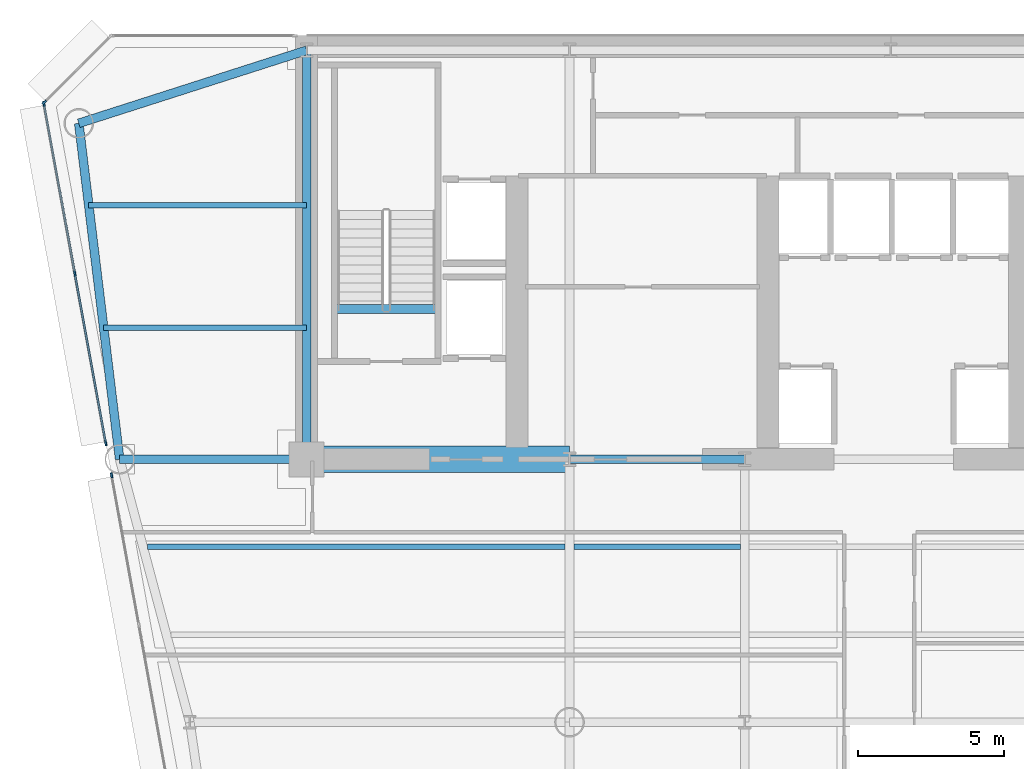
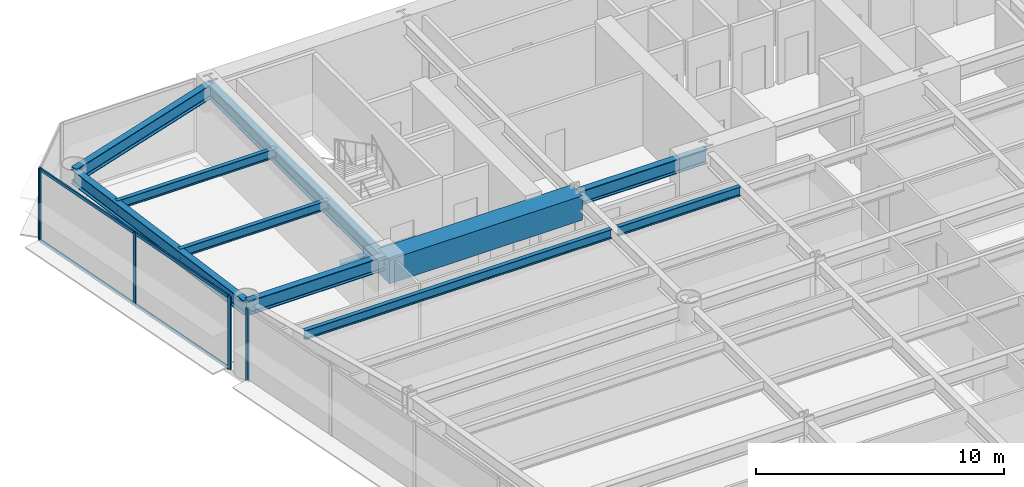
# One storey, part 6 of 17: 11 beams, 9 members, 3 elements without a shape of their own.
"""IFC4 building model written with IfcOpenShell, lengths in metres."""

from ifc_helpers import new_model, si_unit, direction, frame, origin, origin_2d, place, context, subcontext, project, spatial, rectangle, i_section, extrude, source, transform, mapped, material, layer, layer_set, material_profile, profile_set, type_object, element, aggregate, save


model = new_model("IFC4")

# Units and contexts
model_context = context("Model", 3, precision=1e-05, world=origin(), true_north=direction((0.0, 1.0)))
body_context = subcontext(model_context, "Body", "Model", "MODEL_VIEW")
ifc_project = project(units=[si_unit("LENGTHUNIT", "METRE"), si_unit("AREAUNIT", "SQUARE_METRE"), si_unit("VOLUMEUNIT", "CUBIC_METRE"), si_unit("PLANEANGLEUNIT", "RADIAN"), si_unit("MASSUNIT", "GRAM", prefix="KILO")], contexts=[model_context])

# Site, building, storey
site_placement = place(None, origin())
site = spatial("IfcSite", under=ifc_project, at=site_placement, CompositionType="ELEMENT")
building_placement = place(site_placement, origin())
building = spatial("IfcBuilding", under=site, at=building_placement, Name="Vaeldorn Concourse Tower", CompositionType="ELEMENT")
storey_placement = place(building_placement, frame((0.0, 0.0, 153.800048828125)))
storey = spatial("IfcBuildingStorey", under=building, at=storey_placement, Name="L39", CompositionType="ELEMENT", Elevation=153.800048828125)

# Beams
ifc_material_1 = material(Name="Concrete C60/75", Category="concrete")
ifc_material_profile_1 = material_profile(ifc_material_1, rectangle(XDim=0.89990234375, YDim=1.199951171875, at=origin_2d()), Name="RC 900x1200")
ifc_profile_set_1 = profile_set([ifc_material_profile_1], Name="Concrete C60/75")
beam_type_1 = type_object("IfcBeamType", Name="BM-CB-RC900", PredefinedType="BEAM", material=ifc_profile_set_1)
shared_shape_1 = source(origin(), body_context, "Body", "SweptSolid", [
    extrude(rectangle(XDim=0.89990234375, YDim=1.199951171875, at=origin_2d()), origin(), (0.0, 0.0, 1.0), 9.0),
])
beam_1_placement = place(storey_placement, frame((14.0, 36.5, 2.97998046875), z_axis=(1.0, 0.0, 0.0), x_axis=(0.0, 1.0, 0.0)))
element("IfcBeam", 1, at=beam_1_placement, inside=storey, type_object=beam_type_1, Name="Core Coupling Beam L39-1", PredefinedType="BEAM", context=body_context, shape_type="MappedRepresentation", body=[
    mapped(shared_shape_1, transform((0.0, 0.0, 0.0), scale=1.0)),
])
ifc_material_2 = material(Name="Steel S355", Category="steel")
ifc_material_profile_2 = material_profile(ifc_material_2, i_section(OverallWidth=0.300048828125, OverallDepth=0.340087890625, WebThickness=0.011962890625, FlangeThickness=0.021484375, FilletRadius=0.027099609375, at=origin_2d()), Name="HEB 340")
ifc_profile_set_2 = profile_set([ifc_material_profile_2], Name="Steel S355")
beam_type_2 = type_object("IfcBeamType", Name="BM-ST-TRIM", PredefinedType="BEAM", material=ifc_profile_set_2)
shared_shape_2 = source(origin(), body_context, "Body", "SweptSolid", [
    extrude(i_section(OverallWidth=0.300048828125, OverallDepth=0.340087890625, WebThickness=0.011962890625, FlangeThickness=0.021484375, FilletRadius=0.027099609375, at=origin_2d()), origin(), (0.0, 0.0, 1.0), 3.590087890625),
])
beam_2_placement = place(storey_placement, frame((14.929931640625, 41.639892578125, -0.429931640625), z_axis=(1.0, 0.0, 0.0), x_axis=(0.0, 1.0, 0.0)))
element("IfcBeam", 2, at=beam_2_placement, inside=storey, type_object=beam_type_2, Name="Stair Landing Trimmer Beam ST-1 L39", PredefinedType="BEAM", context=body_context, shape_type="MappedRepresentation", body=[
    mapped(shared_shape_2, transform((0.0, 0.0, 0.0), scale=1.0)),
])
ifc_material_profile_3 = material_profile(ifc_material_2, i_section(OverallWidth=0.300048828125, OverallDepth=0.699951171875, WebThickness=0.01708984375, FlangeThickness=0.031982421875, FilletRadius=0.027099609375, at=origin_2d()), Name="HEB 700")
ifc_profile_set_3 = profile_set([ifc_material_profile_3], Name="Steel S355")
beam_type_3 = type_object("IfcBeamType", Name="BM-PG-HEB700", PredefinedType="BEAM", material=ifc_profile_set_3)
shared_shape_3 = source(origin(), body_context, "Body", "SweptSolid", [
    extrude(i_section(OverallWidth=0.300048828125, OverallDepth=0.699951171875, WebThickness=0.01708984375, FlangeThickness=0.031982421875, FilletRadius=0.027099609375, at=origin_2d()), origin(), (0.0, 0.0, 1.0), 6.0),
])
beam_3_placement = place(storey_placement, frame((23.0, 36.5, 3.22998046875), z_axis=(1.0, 0.0, 0.0), x_axis=(0.0, 1.0, 0.0)))
element("IfcBeam", 3, at=beam_3_placement, inside=storey, type_object=beam_type_3, Name="Beam BM-L39-C-FC2-C-FC3", PredefinedType="BEAM", context=body_context, shape_type="MappedRepresentation", body=[
    mapped(shared_shape_3, transform((0.0, 0.0, 0.0), scale=1.0)),
])
shared_shape_4 = source(origin(), body_context, "Body", "SweptSolid", [
    extrude(i_section(OverallWidth=0.300048828125, OverallDepth=0.699951171875, WebThickness=0.01708984375, FlangeThickness=0.031982421875, FilletRadius=0.027099609375, at=origin_2d()), origin(), (0.0, 0.0, 1.0), 14.0),
])
beam_4_placement = place(storey_placement, frame((14.0, 36.5, 3.22998046875), z_axis=(0.0, 1.0, 0.0), x_axis=(-1.0, 0.0, 0.0)))
element("IfcBeam", 4, at=beam_4_placement, inside=storey, type_object=beam_type_3, Name="Beam BM-L39-C-FC1-C-HC1", PredefinedType="BEAM", context=body_context, shape_type="MappedRepresentation", body=[
    mapped(shared_shape_4, transform((0.0, 0.0, 0.0), scale=1.0)),
])
shared_shape_5 = source(origin(), body_context, "Body", "SweptSolid", [
    extrude(i_section(OverallWidth=0.300048828125, OverallDepth=0.699951171875, WebThickness=0.01708984375, FlangeThickness=0.031982421875, FilletRadius=0.027099609375, at=origin_2d()), origin(), (0.0, 0.0, 1.0), 8.19091796875),
])
beam_5_placement = place(storey_placement, frame((6.199951171875, 48.0, 3.22998046875), z_axis=(0.952282843383, 0.305216949396, 0.0), x_axis=(-0.305216949396, 0.952282843383, 0.0)))
element("IfcBeam", 5, at=beam_5_placement, inside=storey, type_object=beam_type_3, Name="Beam BM-L39-C-NW1-C-HC1", PredefinedType="BEAM", context=body_context, shape_type="MappedRepresentation", body=[
    mapped(shared_shape_5, transform((0.0, 0.0, 0.0), scale=1.0)),
])
shared_shape_6 = source(origin(), body_context, "Body", "SweptSolid", [
    extrude(i_section(OverallWidth=0.300048828125, OverallDepth=0.699951171875, WebThickness=0.01708984375, FlangeThickness=0.031982421875, FilletRadius=0.027099609375, at=origin_2d()), origin(), (0.0, 0.0, 1.0), 11.5849609375),
])
beam_6_placement = place(storey_placement, frame((6.199951171875, 48.0, 3.22998046875), z_axis=(0.120859382899, -0.992669637677, 0.0), x_axis=(0.992669637677, 0.120859382899, 0.0)))
element("IfcBeam", 6, at=beam_6_placement, inside=storey, type_object=beam_type_3, Name="Beam BM-L39-C-NW1-C-NW2", PredefinedType="BEAM", context=body_context, shape_type="MappedRepresentation", body=[
    mapped(shared_shape_6, transform((0.0, 0.0, 0.0), scale=1.0)),
])
shared_shape_7 = source(origin(), body_context, "Body", "SweptSolid", [
    extrude(i_section(OverallWidth=0.300048828125, OverallDepth=0.699951171875, WebThickness=0.01708984375, FlangeThickness=0.031982421875, FilletRadius=0.027099609375, at=origin_2d()), origin(), (0.0, 0.0, 1.0), 6.39990234375),
])
beam_7_placement = place(storey_placement, frame((7.60009765625, 36.5, 3.22998046875), z_axis=(1.0, 0.0, 0.0), x_axis=(0.0, 1.0, 0.0)))
element("IfcBeam", 7, at=beam_7_placement, inside=storey, type_object=beam_type_3, Name="Beam BM-L39-C-NW2-C-FC1", PredefinedType="BEAM", context=body_context, shape_type="MappedRepresentation", body=[
    mapped(shared_shape_7, transform((0.0, 0.0, 0.0), scale=1.0)),
])
ifc_material_profile_4 = material_profile(ifc_material_2, i_section(OverallWidth=0.18994140625, OverallDepth=0.449951171875, WebThickness=0.009521484375, FlangeThickness=0.0146484375, FilletRadius=0.02099609375, at=origin_2d()), Name="IPE 450")
ifc_profile_set_4 = profile_set([ifc_material_profile_4], Name="Steel S355")
beam_type_4 = type_object("IfcBeamType", Name="BM-JS-IPE450", PredefinedType="JOIST", material=ifc_profile_set_4)
shared_shape_8 = source(origin(), body_context, "Body", "SweptSolid", [
    extrude(i_section(OverallWidth=0.18994140625, OverallDepth=0.449951171875, WebThickness=0.009521484375, FlangeThickness=0.0146484375, FilletRadius=0.02099609375, at=origin_2d()), origin(), (0.0, 0.0, 1.0), 5.7001953125),
])
beam_8_placement = place(storey_placement, frame((23.14990234375, 33.5, 3.35498046875), z_axis=(1.0, 0.0, 0.0), x_axis=(0.0, 1.0, 0.0)))
element("IfcBeam", 8, at=beam_8_placement, inside=storey, type_object=beam_type_4, Name="Beam JS-L39-W2-335", PredefinedType="JOIST", context=body_context, shape_type="MappedRepresentation", body=[
    mapped(shared_shape_8, transform((0.0, 0.0, 0.0), scale=1.0)),
])
shared_shape_9 = source(origin(), body_context, "Body", "SweptSolid", [
    extrude(i_section(OverallWidth=0.18994140625, OverallDepth=0.449951171875, WebThickness=0.009521484375, FlangeThickness=0.0146484375, FilletRadius=0.02099609375, at=origin_2d()), origin(), (0.0, 0.0, 1.0), 6.94775390625),
])
beam_9_placement = place(storey_placement, frame((7.05224609375, 41.0, 3.35498046875), z_axis=(1.0, 0.0, 0.0), x_axis=(0.0, 1.0, 0.0)))
element("IfcBeam", 9, at=beam_9_placement, inside=storey, type_object=beam_type_4, Name="Beam JS-L39-NW-410", PredefinedType="JOIST", context=body_context, shape_type="MappedRepresentation", body=[
    mapped(shared_shape_9, transform((0.0, 0.0, 0.0), scale=1.0)),
])
shared_shape_10 = source(origin(), body_context, "Body", "SweptSolid", [
    extrude(i_section(OverallWidth=0.18994140625, OverallDepth=0.449951171875, WebThickness=0.009521484375, FlangeThickness=0.0146484375, FilletRadius=0.02099609375, at=origin_2d()), origin(), (0.0, 0.0, 1.0), 7.458984375),
])
beam_10_placement = place(storey_placement, frame((6.541015625, 45.199951171875, 3.35498046875), z_axis=(1.0, 0.0, 0.0), x_axis=(0.0, 1.0, 0.0)))
element("IfcBeam", 10, at=beam_10_placement, inside=storey, type_object=beam_type_4, Name="Beam JS-L39-NW-452", PredefinedType="JOIST", context=body_context, shape_type="MappedRepresentation", body=[
    mapped(shared_shape_10, transform((0.0, 0.0, 0.0), scale=1.0)),
])
shared_shape_11 = source(origin(), body_context, "Body", "SweptSolid", [
    extrude(i_section(OverallWidth=0.18994140625, OverallDepth=0.449951171875, WebThickness=0.009521484375, FlangeThickness=0.0146484375, FilletRadius=0.02099609375, at=origin_2d()), origin(), (0.0, 0.0, 1.0), 14.300048828125),
])
beam_11_placement = place(storey_placement, frame((8.550048828125, 33.5, 3.35498046875), z_axis=(1.0, 0.0, 0.0), x_axis=(0.0, 1.0, 0.0)))
element("IfcBeam", 11, at=beam_11_placement, inside=storey, type_object=beam_type_4, Name="Beam JS-L39-W1-335", PredefinedType="JOIST", context=body_context, shape_type="MappedRepresentation", body=[
    mapped(shared_shape_11, transform((0.0, 0.0, 0.0), scale=1.0)),
])

# Curtain wall, member
ifc_material_3 = material(Name="Anodised Bronze Aluminium", Category="aluminium")
ifc_layer_1 = layer(ifc_material_3, 0.18994140625)
ifc_layer_set_1 = layer_set([ifc_layer_1], Name="Anodised Bronze Aluminium")
curtain_wall_type_1 = type_object("IfcCurtainWallType", Name="CW-SYS-03", PredefinedType="NOTDEFINED", material=ifc_layer_set_1)
curtain_wall_1_placement = place(storey_placement, origin())
curtain_wall_1 = element("IfcCurtainWall", 12, at=curtain_wall_1_placement, inside=storey, type_object=curtain_wall_type_1, Name="Unitised Curtain Wall CW-L39-E10-1", PredefinedType="NOTDEFINED")
ifc_material_profile_5 = material_profile(ifc_material_3, rectangle(XDim=0.06494140625, YDim=0.169921875, at=origin_2d()), Name="CWM 65x170")
ifc_profile_set_5 = profile_set([ifc_material_profile_5], Name="Anodised Bronze Aluminium")
member_type_1 = type_object("IfcMemberType", Name="CWM-BRONZE-170", PredefinedType="MULLION", material=ifc_profile_set_5)
shared_shape_12 = source(origin(), body_context, "Body", "SweptSolid", [
    extrude(rectangle(XDim=0.06494140625, YDim=0.169921875, at=origin_2d()), origin(), (0.0, 0.0, 1.0), 3.579833984375),
])
member_1_placement = place(storey_placement, frame((5.02294921875, 48.722900390625, 0.0), z_axis=(0.0, 0.0, 1.0), x_axis=(0.707106781187, -0.707106781187, 0.0)))
member_1 = element("IfcMember", 13, at=member_1_placement, type_object=member_type_1, Name="CW-03 mullion 2", PredefinedType="MULLION", context=body_context, shape_type="MappedRepresentation", body=[
    mapped(shared_shape_12, transform((0.0, 0.0, 0.0), scale=1.0)),
])
aggregate(curtain_wall_1, [member_1])

# Curtain wall, members
ifc_layer_2 = layer(ifc_material_3, 0.2099609375)
ifc_layer_set_2 = layer_set([ifc_layer_2], Name="Anodised Bronze Aluminium")
curtain_wall_type_2 = type_object("IfcCurtainWallType", Name="CW-SYS-06", PredefinedType="NOTDEFINED", material=ifc_layer_set_2)
curtain_wall_2_placement = place(storey_placement, origin())
curtain_wall_2 = element("IfcCurtainWall", 14, at=curtain_wall_2_placement, inside=storey, type_object=curtain_wall_type_2, Name="Unitised Curtain Wall CW-L39-E11-1", PredefinedType="NOTDEFINED")
member_2_placement = place(storey_placement, frame((5.005859375, 48.66796875, 0.0), z_axis=(0.0, 0.0, 1.0), x_axis=(0.983767481966, 0.179447879415, 0.0)))
member_2 = element("IfcMember", 15, at=member_2_placement, type_object=member_type_1, Name="CW-06 mullion 1", PredefinedType="MULLION", context=body_context, shape_type="MappedRepresentation", body=[
    mapped(shared_shape_12, transform((0.0, 0.0, 0.0), scale=1.0)),
])
member_3_placement = place(storey_placement, frame((6.0654296875, 42.85888671875, 0.0), z_axis=(0.0, 0.0, 1.0), x_axis=(0.983767481966, 0.179447879415, 0.0)))
member_3 = element("IfcMember", 16, at=member_3_placement, type_object=member_type_1, Name="CW-06 mullion 2", PredefinedType="MULLION", context=body_context, shape_type="MappedRepresentation", body=[
    mapped(shared_shape_12, transform((0.0, 0.0, 0.0), scale=1.0)),
])
member_4_placement = place(storey_placement, frame((7.125, 37.050048828125, 0.0), z_axis=(0.0, 0.0, 1.0), x_axis=(0.983767481966, 0.179447879415, 0.0)))
member_4 = element("IfcMember", 17, at=member_4_placement, type_object=member_type_1, Name="CW-06 mullion 3", PredefinedType="MULLION", context=body_context, shape_type="MappedRepresentation", body=[
    mapped(shared_shape_12, transform((0.0, 0.0, 0.0), scale=1.0)),
])

# Curtain wall, member
curtain_wall_3_placement = place(storey_placement, origin())
curtain_wall_3 = element("IfcCurtainWall", 18, at=curtain_wall_3_placement, inside=storey, type_object=curtain_wall_type_2, Name="Unitised Curtain Wall CW-L39-E11-2", PredefinedType="NOTDEFINED")
member_5_placement = place(storey_placement, frame((7.32568359375, 35.949951171875, 0.0), z_axis=(0.0, 0.0, 1.0), x_axis=(0.983767760981, 0.179446349793, 0.0)))
member_5 = element("IfcMember", 19, at=member_5_placement, type_object=member_type_1, Name="CW-06 mullion 1", PredefinedType="MULLION", context=body_context, shape_type="MappedRepresentation", body=[
    mapped(shared_shape_12, transform((0.0, 0.0, 0.0), scale=1.0)),
])
aggregate(curtain_wall_3, [member_5])

# Member
ifc_material_profile_6 = material_profile(ifc_material_3, rectangle(XDim=0.06494140625, YDim=0.14990234375, at=origin_2d()), Name="CWT 65x150")
ifc_profile_set_6 = profile_set([ifc_material_profile_6], Name="Anodised Bronze Aluminium")
member_type_2 = type_object("IfcMemberType", Name="CWT-BRONZE-150", PredefinedType="USERDEFINED", material=ifc_profile_set_6)
shared_shape_13 = source(origin(), body_context, "Body", "SweptSolid", [
    extrude(rectangle(XDim=0.06494140625, YDim=0.14990234375, at=origin_2d()), origin(), (0.0, 0.0, 1.0), 5.83984375),
])
member_6_placement = place(storey_placement, frame((5.01171875, 48.635986328125, 0.032470703125), z_axis=(0.179429887708, -0.983770763642, 0.0), x_axis=(0.983770763642, 0.179429887708, 0.0)))
member_6 = element("IfcMember", 20, at=member_6_placement, type_object=member_type_2, Name="CW-06 transom 1.1", ObjectType="TRANSOM", PredefinedType="USERDEFINED", context=body_context, shape_type="MappedRepresentation", body=[
    mapped(shared_shape_13, transform((0.0, 0.0, 0.0), scale=1.0)),
])

member_7_placement = place(storey_placement, frame((5.01171875, 48.635986328125, 3.54736328125), z_axis=(0.179429887708, -0.983770763642, 0.0), x_axis=(0.983770763642, 0.179429887708, 0.0)))
member_7 = element("IfcMember", 21, at=member_7_placement, type_object=member_type_2, Name="CW-06 transom 1.2", ObjectType="TRANSOM", PredefinedType="USERDEFINED", context=body_context, shape_type="MappedRepresentation", body=[
    mapped(shared_shape_13, transform((0.0, 0.0, 0.0), scale=1.0)),
])

member_8_placement = place(storey_placement, frame((6.0712890625, 42.8271484375, 0.032470703125), z_axis=(0.179429887708, -0.983770763642, 0.0), x_axis=(0.983770763642, 0.179429887708, 0.0)))
member_8 = element("IfcMember", 22, at=member_8_placement, type_object=member_type_2, Name="CW-06 transom 2.1", ObjectType="TRANSOM", PredefinedType="USERDEFINED", context=body_context, shape_type="MappedRepresentation", body=[
    mapped(shared_shape_13, transform((0.0, 0.0, 0.0), scale=1.0)),
])

member_9_placement = place(storey_placement, frame((6.0712890625, 42.8271484375, 3.54736328125), z_axis=(0.179429887708, -0.983770763642, 0.0), x_axis=(0.983770763642, 0.179429887708, 0.0)))
member_9 = element("IfcMember", 23, at=member_9_placement, type_object=member_type_2, Name="CW-06 transom 2.2", ObjectType="TRANSOM", PredefinedType="USERDEFINED", context=body_context, shape_type="MappedRepresentation", body=[
    mapped(shared_shape_13, transform((0.0, 0.0, 0.0), scale=1.0)),
])

aggregate(curtain_wall_2, [member_2, member_3, member_4, member_6, member_7, member_8, member_9])

save(model, "model.ifc")
